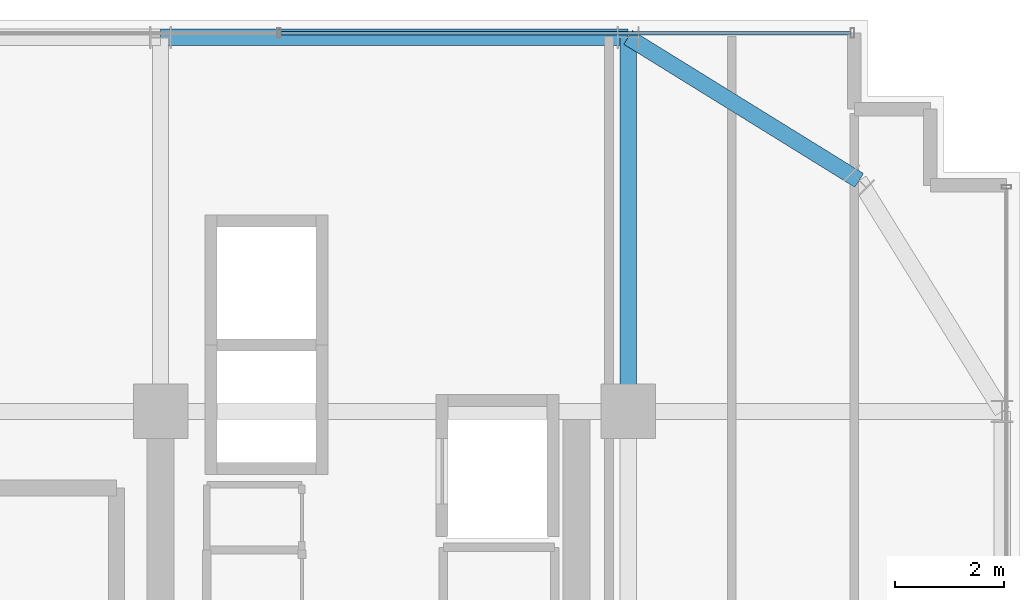
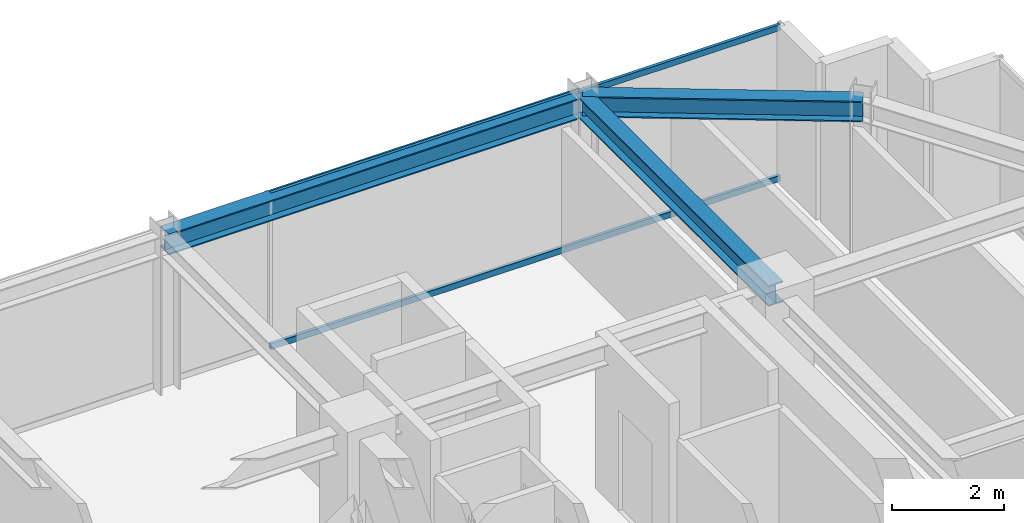
# One storey, part 26 of 35: 3 beams, 2 members, 1 element without a shape of its own.
"""IFC4 building model written with IfcOpenShell, lengths in metres."""

from ifc_helpers import new_model, si_unit, direction, frame, origin, origin_2d, place, context, subcontext, project, spatial, hollow_rectangle, i_section, extrude, source, transform, mapped, material, material_profile, profile_set, type_object, element, aggregate, save


model = new_model("IFC4")

# Units and contexts
model_context = context("Model", 3, precision=1e-05, world=origin(), true_north=direction((0.0, 1.0)))
body_context = subcontext(model_context, "Body", "Model", "MODEL_VIEW")
ifc_project = project(units=[si_unit("LENGTHUNIT", "METRE"), si_unit("AREAUNIT", "SQUARE_METRE"), si_unit("VOLUMEUNIT", "CUBIC_METRE"), si_unit("PLANEANGLEUNIT", "RADIAN"), si_unit("MASSUNIT", "GRAM", prefix="KILO")], contexts=[model_context])

# Site, building, storey
site_placement = place(None, origin())
site = spatial("IfcSite", under=ifc_project, at=site_placement, CompositionType="ELEMENT")
building_placement = place(site_placement, origin())
building = spatial("IfcBuilding", under=site, at=building_placement, Name="Nahalor Promenade Grand Hotel", CompositionType="ELEMENT")
storey_placement = place(building_placement, frame((0.0, 0.0, 245.60009765625)))
storey = spatial("IfcBuildingStorey", under=building, at=storey_placement, Name="L63", CompositionType="ELEMENT", Elevation=245.60009765625)

# Beams
ifc_material_1 = material(Name="Steel S355JR", Category="steel")
ifc_material_profile_1 = material_profile(ifc_material_1, i_section(OverallWidth=0.3, OverallDepth=0.45, WebThickness=0.014, FlangeThickness=0.026, at=origin_2d()), Name="HEB 450")
ifc_profile_set_1 = profile_set([ifc_material_profile_1], Name="Steel S355JR")
beam_type_1 = type_object("IfcBeamType", Name="Beam-Spandrel-HEB450", PredefinedType="SPANDREL", material=ifc_profile_set_1)
shared_shape_1 = source(origin(), body_context, "Body", "SweptSolid", [
    extrude(i_section(OverallWidth=0.3, OverallDepth=0.45, WebThickness=0.014, FlangeThickness=0.026, at=origin_2d()), origin(), (0.0, 0.0, 1.0), 8.60009765625),
])
beam_1_placement = place(storey_placement, frame((8.39990234375, 23.8798828125, 3.184814453125), z_axis=(1.0, 0.0, 0.0), x_axis=(0.0, 1.0, 0.0)))
element("IfcBeam", 1, at=beam_1_placement, inside=storey, type_object=beam_type_1, Name="BM-L63-SP-N-4", PredefinedType="SPANDREL", context=body_context, shape_type="MappedRepresentation", body=[
    mapped(shared_shape_1, transform((0.0, 0.0, 0.0), scale=1.0)),
])
shared_shape_2 = source(origin(), body_context, "Body", "SweptSolid", [
    extrude(i_section(OverallWidth=0.3, OverallDepth=0.45, WebThickness=0.014, FlangeThickness=0.026, at=origin_2d()), origin(), (0.0, 0.0, 1.0), 4.997802734375),
])
beam_2_placement = place(storey_placement, frame((17.0, 23.8798828125, 3.184814453125), z_axis=(0.850360908404, -0.526199891161, 0.0), x_axis=(0.526199891161, 0.850360908404, 0.0)))
element("IfcBeam", 2, at=beam_2_placement, inside=storey, type_object=beam_type_1, Name="BM-L63-SPC-NE-1", PredefinedType="SPANDREL", context=body_context, shape_type="MappedRepresentation", body=[
    mapped(shared_shape_2, transform((0.0, 0.0, 0.0), scale=1.0)),
])
ifc_material_profile_2 = material_profile(ifc_material_1, i_section(OverallWidth=0.3, OverallDepth=0.45, WebThickness=0.014, FlangeThickness=0.026, at=origin_2d()), Name="HEB 450")
ifc_profile_set_2 = profile_set([ifc_material_profile_2], Name="Steel S355JR")
beam_type_2 = type_object("IfcBeamType", Name="Beam-Girder-HEB450", PredefinedType="BEAM", material=ifc_profile_set_2)
shared_shape_3 = source(origin(), body_context, "Body", "SweptSolid", [
    extrude(i_section(OverallWidth=0.3, OverallDepth=0.45, WebThickness=0.014, FlangeThickness=0.026, at=origin_2d()), origin(), (0.0, 0.0, 1.0), 6.8798828125),
])
beam_3_placement = place(storey_placement, frame((17.0, 17.0, 3.184814453125), z_axis=(0.0, 1.0, 0.0), x_axis=(-1.0, 0.0, 0.0)))
element("IfcBeam", 3, at=beam_3_placement, inside=storey, type_object=beam_type_2, Name="BM-L63-GY-5-4", PredefinedType="BEAM", context=body_context, shape_type="MappedRepresentation", body=[
    mapped(shared_shape_3, transform((0.0, 0.0, 0.0), scale=1.0)),
])

# Curtain wall, members
ifc_material_2 = material(Name="Anodised Bronze Aluminium EN AW-6063 T6", Category="aluminium")
curtain_wall_type = type_object("IfcCurtainWallType", Name="CW2 Typical Hotel Flush Bronze Unitised Curtain Wall", PredefinedType="USERDEFINED", material=ifc_material_2)
curtain_wall_placement = place(storey_placement, origin())
curtain_wall = element("IfcCurtainWall", 4, at=curtain_wall_placement, inside=storey, type_object=curtain_wall_type, Name="L63 Curtain Wall CW-L63-N-1", ObjectType="UNITISED_CURTAIN_WALL", PredefinedType="USERDEFINED")
ifc_material_profile_3 = material_profile(ifc_material_2, hollow_rectangle(XDim=0.065, YDim=0.13, WallThickness=0.004, at=origin_2d()), Name="CWT 65x130x4")
ifc_profile_set_3 = profile_set([ifc_material_profile_3], Name="Anodised Bronze Aluminium EN AW-6063 T6")
member_type = type_object("IfcMemberType", Name="CWT2 Typical Bronze Transom 65x130", PredefinedType="USERDEFINED", material=ifc_profile_set_3)
shared_shape_4 = source(origin(), body_context, "Body", "SweptSolid", [
    extrude(hollow_rectangle(XDim=0.065, YDim=0.13, WallThickness=0.004, at=origin_2d()), origin(), (0.0, 0.0, 1.0), 10.482421875),
])
member_1_placement = place(storey_placement, frame((10.612548828125, 23.9599609375, 0.06494140625), z_axis=(1.0, 0.0, 0.0), x_axis=(0.0, 1.0, 0.0)))
member_1 = element("IfcMember", 5, at=member_1_placement, type_object=member_type, Name="CW-L63-N-1 Transom 3-0", ObjectType="TRANSOM", PredefinedType="USERDEFINED", context=body_context, shape_type="MappedRepresentation", body=[
    mapped(shared_shape_4, transform((0.0, 0.0, 0.0), scale=1.0)),
])
member_2_placement = place(storey_placement, frame((10.612548828125, 23.9599609375, 3.344970703125), z_axis=(1.0, 0.0, 0.0), x_axis=(0.0, 1.0, 0.0)))
member_2 = element("IfcMember", 6, at=member_2_placement, type_object=member_type, Name="CW-L63-N-1 Transom 3-1", ObjectType="TRANSOM", PredefinedType="USERDEFINED", context=body_context, shape_type="MappedRepresentation", body=[
    mapped(shared_shape_4, transform((0.0, 0.0, 0.0), scale=1.0)),
])
aggregate(curtain_wall, [member_1, member_2])

save(model, "model.ifc")
